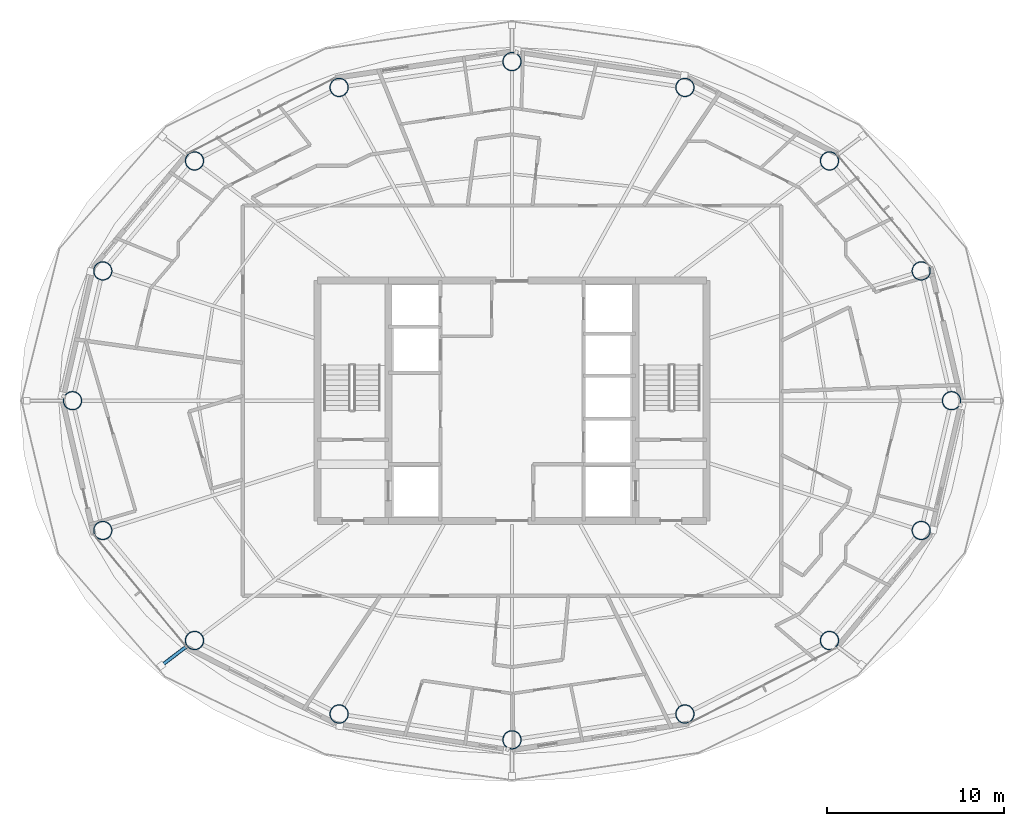
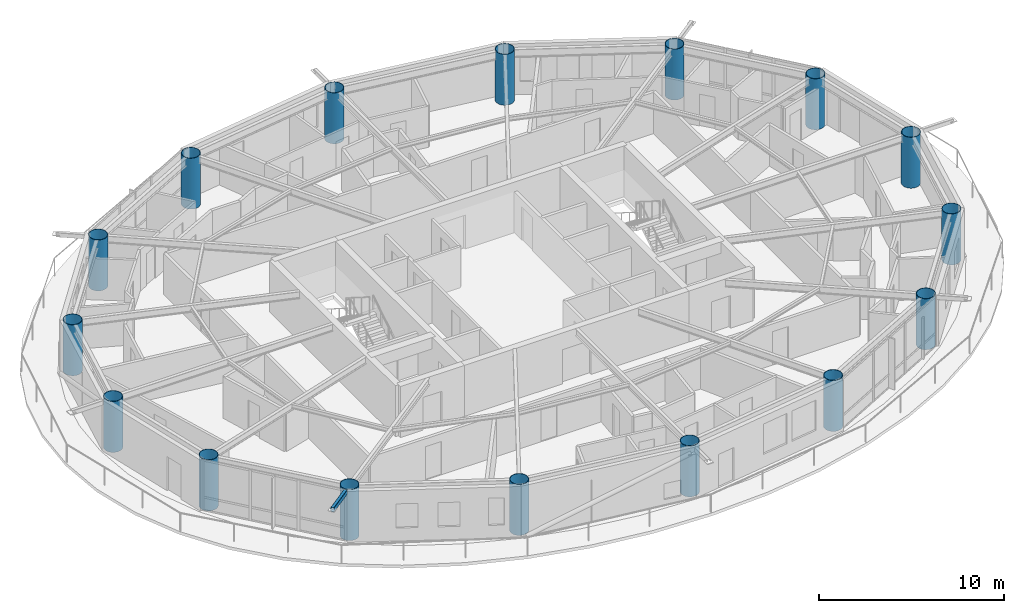
# One storey, part 1 of 23: 16 columns, 1 member.
"""IFC4 building model written with IfcOpenShell, lengths in metres."""

from ifc_helpers import new_model, si_unit, direction, frame, origin, origin_2d, place, context, subcontext, project, spatial, hollow_rectangle, hollow_circle, extrude, material, material_profile, profile_set, type_object, element, save


model = new_model("IFC4")

# Units and contexts
model_context = context("Model", 3, precision=1e-05, world=origin(), true_north=direction((0.0, 1.0)))
body_context = subcontext(model_context, "Body", "Model", "MODEL_VIEW")
ifc_project = project(units=[si_unit("LENGTHUNIT", "METRE"), si_unit("AREAUNIT", "SQUARE_METRE"), si_unit("VOLUMEUNIT", "CUBIC_METRE"), si_unit("PLANEANGLEUNIT", "RADIAN"), si_unit("MASSUNIT", "GRAM", prefix="KILO")], contexts=[model_context])

# Site, building, storey
site_placement = place(None, origin())
site = spatial("IfcSite", under=ifc_project, at=site_placement, CompositionType="ELEMENT")
building_placement = place(site_placement, origin())
building = spatial("IfcBuilding", under=site, at=building_placement, Name="Sarneth Arch Tower", CompositionType="ELEMENT")
storey_placement = place(building_placement, frame((0.0, 0.0, 235.199951171875)))
storey = spatial("IfcBuildingStorey", under=building, at=storey_placement, Name="L60", CompositionType="ELEMENT", Elevation=235.199951171875)

# Columns
ifc_material_1 = material(Name="Steel S355", Category="steel")
ifc_material_profile_1 = material_profile(ifc_material_1, hollow_circle(Radius=0.52490234375, WallThickness=0.028076171875, at=origin_2d()), Name="CHS1050x28")
ifc_profile_set_1 = profile_set([ifc_material_profile_1], Name="Steel S355")
column_type = type_object("IfcColumnType", Name="COL-MEGA-1050", PredefinedType="COLUMN", material=ifc_profile_set_1)
for number, where, z_axis, x_axis, name in (
    (1, (72.88330078125, 42.0, 0.0), (0.0, 0.0, 1.0), (1.0, 0.0, 0.0), "L60 Perimeter mega-column M01"),
    (2, (71.1689453125, 49.347412109375, 0.0), (0.0, 0.0, 1.0), (1.0, 0.0, 0.0), "L60 Perimeter mega-column M02"),
    (3, (65.975341796875, 55.576416015625, 0.0), (0.0, 0.0, 1.0), (1.0, 0.0, 0.0), "L60 Perimeter mega-column M03"),
    (4, (57.790771484375, 59.738525390625, 0.0), (0.0, 0.0, 1.0), (1.0, 0.0, 0.0), "L60 Perimeter mega-column M04"),
    (5, (48.0, 61.199951171875, 0.0), (0.0, 0.0, 1.0), (1.0, 0.0, 0.0), "L60 Perimeter mega-column M05"),
    (6, (38.209228515625, 59.738525390625, 0.0), (0.0, 0.0, 1.0), (1.0, 0.0, 0.0), "L60 Perimeter mega-column M06"),
    (7, (30.024658203125, 55.576416015625, 0.0), (0.0, 0.0, 1.0), (1.0, 0.0, 0.0), "L60 Perimeter mega-column M07"),
    (8, (24.8310546875, 49.347412109375, 0.0), (0.0, 0.0, 1.0), (1.0, 0.0, 0.0), "L60 Perimeter mega-column M08"),
    (9, (23.11669921875, 42.0, 0.0), (0.0, 0.0, 1.0), (1.0, 0.0, 0.0), "L60 Perimeter mega-column M09"),
    (10, (24.8310546875, 34.652587890625, 0.0), (0.0, 0.0, 1.0), (1.0, 0.0, 0.0), "L60 Perimeter mega-column M10"),
    (11, (30.024658203125, 28.423583984375, 0.0), (0.0, 0.0, 1.0), (1.0, 0.0, 0.0), "L60 Perimeter mega-column M11"),
    (12, (38.209228515625, 24.261474609375, 0.0), (0.0, 0.0, 1.0), (1.0, 0.0, 0.0), "L60 Perimeter mega-column M12"),
    (13, (48.0, 22.800048828125, 0.0), (0.0, 0.0, 1.0), (1.0, 0.0, 0.0), "L60 Perimeter mega-column M13"),
    (14, (57.790771484375, 24.261474609375, 0.0), (0.0, 0.0, 1.0), (1.0, 0.0, 0.0), "L60 Perimeter mega-column M14"),
    (15, (65.975341796875, 28.423583984375, 0.0), (0.0, 0.0, 1.0), (1.0, 0.0, 0.0), "L60 Perimeter mega-column M15"),
    (16, (71.1689453125, 34.652587890625, 0.0), (0.0, 0.0, 1.0), (1.0, 0.0, 0.0), "L60 Perimeter mega-column M16"),
):
    element("IfcColumn", number, at=place(storey_placement, frame(where, z_axis=z_axis, x_axis=x_axis)), inside=storey, type_object=column_type, Name=name, PredefinedType="COLUMN", context=body_context, shape_type="SweptSolid", body=[
        extrude(hollow_circle(Radius=0.52490234375, WallThickness=0.028076171875, at=origin_2d()), origin(), (0.0, 0.0, 1.0), 3.360107421875),
    ])

# Member
ifc_material_2 = material(Name="Steel S355", Category="steel")
ifc_material_profile_2 = material_profile(ifc_material_2, hollow_rectangle(XDim=0.199951171875, YDim=0.300048828125, WallThickness=0.012451171875, InnerFilletRadius=0.018798828125, OuterFilletRadius=0.03125, at=origin_2d()), Name="RHS300x200x12.5")
ifc_profile_set_2 = profile_set([ifc_material_profile_2], Name="Steel S355")
member_type = type_object("IfcMemberType", Name="MEM-CANT-STRUT", PredefinedType="STRUT", material=ifc_profile_set_2)
member_placement = place(storey_placement, frame((29.60595703125, 28.107177734375, 3.199951171875), z_axis=(-0.798003570042, -0.60265272106, 0.0), x_axis=(0.60265272106, -0.798003570042, 0.0)))
element("IfcMember", 17, at=member_placement, inside=storey, type_object=member_type, Name="L60 Balcony cantilever bracket 11", PredefinedType="STRUT", context=body_context, shape_type="SweptSolid", body=[
    extrude(hollow_rectangle(XDim=0.199951171875, YDim=0.300048828125, WallThickness=0.012451171875, InnerFilletRadius=0.018798828125, OuterFilletRadius=0.03125, at=origin_2d()), origin(), (0.0, 0.0, 1.0), 1.83837890625),
])

save(model, "model.ifc")
